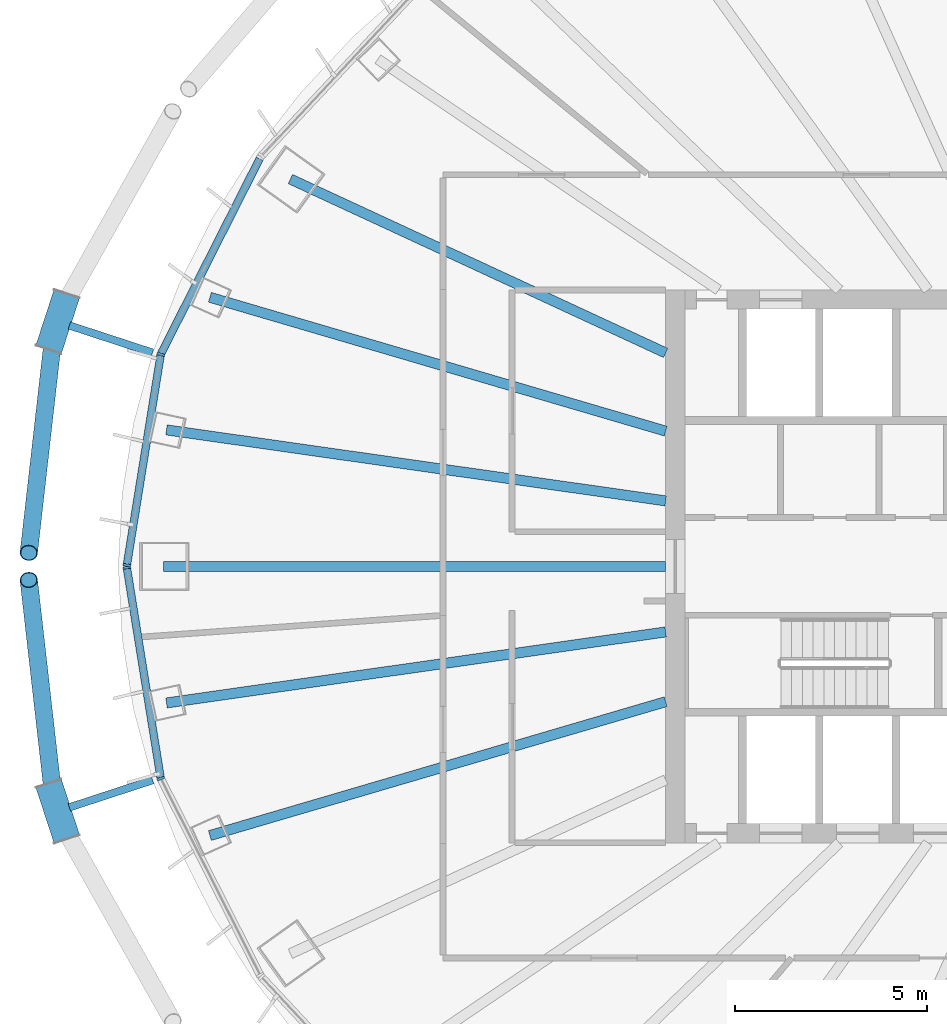
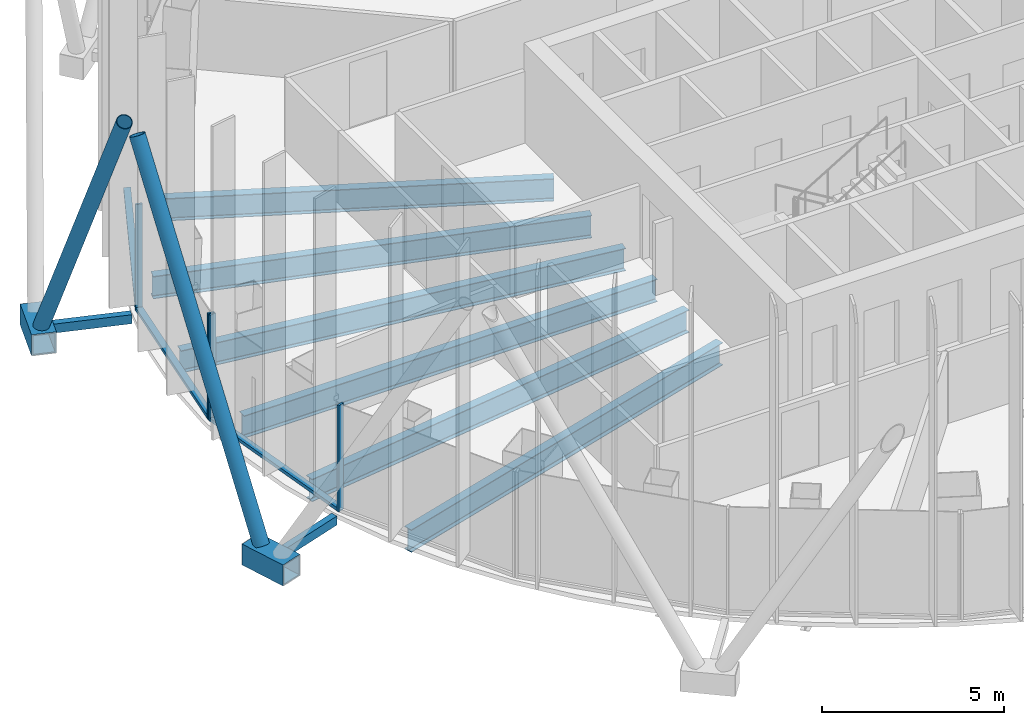
# One storey, part 3 of 19: 13 members, 6 beams, 2 elements without a shape of their own.
"""IFC4 building model written with IfcOpenShell, lengths in metres."""

from ifc_helpers import new_model, si_unit, direction, frame, origin, origin_2d, place, context, subcontext, project, spatial, rectangle, hollow_rectangle, hollow_circle, i_section, extrude, material, layer, layer_set, material_profile, profile_set, type_object, element, aggregate, save


model = new_model("IFC4")

# Units and contexts
model_context = context("Model", 3, precision=1e-05, world=origin(), true_north=direction((0.0, 1.0)))
body_context = subcontext(model_context, "Body", "Model", "MODEL_VIEW")
ifc_project = project(units=[si_unit("LENGTHUNIT", "METRE"), si_unit("AREAUNIT", "SQUARE_METRE"), si_unit("VOLUMEUNIT", "CUBIC_METRE"), si_unit("PLANEANGLEUNIT", "RADIAN"), si_unit("MASSUNIT", "GRAM", prefix="KILO")], contexts=[model_context])

# Site, building, storey
site_placement = place(None, origin())
site = spatial("IfcSite", under=ifc_project, at=site_placement, CompositionType="ELEMENT")
building_placement = place(site_placement, origin())
building = spatial("IfcBuilding", under=site, at=building_placement, Name="Siaravel Broadcast Tower", CompositionType="ELEMENT")
storey_placement = place(building_placement, frame((0.0, 0.0, 97.10009765625)))
storey = spatial("IfcBuildingStorey", under=building, at=storey_placement, Name="L22", CompositionType="ELEMENT", Elevation=97.10009765625)

# Beams
ifc_material_1 = material(Name="Steel S355", Category="steel")
ifc_material_profile_1 = material_profile(ifc_material_1, i_section(OverallWidth=0.26513671875, OverallDepth=0.75390625, WebThickness=0.0126953125, FlangeThickness=0.017578125, FilletRadius=0.0166015625, at=origin_2d()))
ifc_profile_set_1 = profile_set([ifc_material_profile_1], Name="Steel S355")
beam_type = type_object("IfcBeamType", Name="BM-UB 762x267x147", PredefinedType="BEAM", material=ifc_profile_set_1)
beam_1_placement = place(storey_placement, frame((-21.77490234375, 10.089111328125, -0.527099609375), z_axis=(0.907338227, -0.420401405, 0.0), x_axis=(0.420401405, 0.907338227, 0.0)))
element("IfcBeam", 1, at=beam_1_placement, inside=storey, type_object=beam_type, Name="Radial beam RB16", PredefinedType="BEAM", context=body_context, shape_type="SweptSolid", body=[
    extrude(i_section(OverallWidth=0.26513671875, OverallDepth=0.75390625, WebThickness=0.0126953125, FlangeThickness=0.017578125, FilletRadius=0.0166015625, at=origin_2d()), origin(), (0.0, 0.0, 1.0), 10.773193359375),
])
beam_2_placement = place(storey_placement, frame((-23.87158203125, 7.010009765625, -0.527099609375), z_axis=(0.959487009, -0.281752869, 0.0), x_axis=(0.281752869, 0.959487009, 0.0)))
element("IfcBeam", 2, at=beam_2_placement, inside=storey, type_object=beam_type, Name="Radial beam RB17", PredefinedType="BEAM", context=body_context, shape_type="SweptSolid", body=[
    extrude(i_section(OverallWidth=0.26513671875, OverallDepth=0.75390625, WebThickness=0.0126953125, FlangeThickness=0.017578125, FilletRadius=0.0166015625, at=origin_2d()), origin(), (0.0, 0.0, 1.0), 12.372802734375),
])
beam_3_placement = place(storey_placement, frame((-25.001708984375, 3.5556640625, -0.527099609375), z_axis=(0.99003742, -0.140804496, 0.0), x_axis=(0.140804496, 0.99003742, 0.0)))
element("IfcBeam", 3, at=beam_3_placement, inside=storey, type_object=beam_type, Name="Radial beam RB18", PredefinedType="BEAM", context=body_context, shape_type="SweptSolid", body=[
    extrude(i_section(OverallWidth=0.26513671875, OverallDepth=0.75390625, WebThickness=0.0126953125, FlangeThickness=0.017578125, FilletRadius=0.0166015625, at=origin_2d()), origin(), (0.0, 0.0, 1.0), 13.132568359375),
])
beam_4_placement = place(storey_placement, frame((-25.08154296875, 0.0, -0.527099609375), z_axis=(1.0, 0.0, 0.0), x_axis=(0.0, 1.0, 0.0)))
element("IfcBeam", 4, at=beam_4_placement, inside=storey, type_object=beam_type, Name="Radial beam RB19", PredefinedType="BEAM", context=body_context, shape_type="SweptSolid", body=[
    extrude(i_section(OverallWidth=0.26513671875, OverallDepth=0.75390625, WebThickness=0.0126953125, FlangeThickness=0.017578125, FilletRadius=0.0166015625, at=origin_2d()), origin(), (0.0, 0.0, 1.0), 13.08154296875),
])
beam_5_placement = place(storey_placement, frame((-25.001708984375, -3.5556640625, -0.527099609375), z_axis=(0.99003742, 0.140804496, 0.0), x_axis=(-0.140804496, 0.99003742, 0.0)))
element("IfcBeam", 5, at=beam_5_placement, inside=storey, type_object=beam_type, Name="Radial beam RB20", PredefinedType="BEAM", context=body_context, shape_type="SweptSolid", body=[
    extrude(i_section(OverallWidth=0.26513671875, OverallDepth=0.75390625, WebThickness=0.0126953125, FlangeThickness=0.017578125, FilletRadius=0.0166015625, at=origin_2d()), origin(), (0.0, 0.0, 1.0), 13.132568359375),
])
beam_6_placement = place(storey_placement, frame((-23.87158203125, -7.010009765625, -0.527099609375), z_axis=(0.959487009, 0.281752869, 0.0), x_axis=(-0.281752869, 0.959487009, 0.0)))
element("IfcBeam", 6, at=beam_6_placement, inside=storey, type_object=beam_type, Name="Radial beam RB21", PredefinedType="BEAM", context=body_context, shape_type="SweptSolid", body=[
    extrude(i_section(OverallWidth=0.26513671875, OverallDepth=0.75390625, WebThickness=0.0126953125, FlangeThickness=0.017578125, FilletRadius=0.0166015625, at=origin_2d()), origin(), (0.0, 0.0, 1.0), 12.372802734375),
])

# Curtain wall, members
ifc_material_2 = material(Name="Aluminium 6063-T6", Category="aluminium")
ifc_layer = layer(ifc_material_2, 0.199951171875)
ifc_layer_set = layer_set([ifc_layer], Name="Aluminium 6063-T6")
curtain_wall_type = type_object("IfcCurtainWallType", Name="Unitised curtain wall, zone 2", PredefinedType="NOTDEFINED", material=ifc_layer_set)
curtain_wall_1_placement = place(storey_placement, origin())
curtain_wall_1 = element("IfcCurtainWall", 7, at=curtain_wall_1_placement, inside=storey, type_object=curtain_wall_type, Name="L22 Unitised curtain wall, zone 2 06", PredefinedType="NOTDEFINED")
ifc_material_profile_2 = material_profile(ifc_material_2, rectangle(XDim=0.199951171875, YDim=0.06494140625, at=origin_2d()))
ifc_profile_set_2 = profile_set([ifc_material_profile_2], Name="Aluminium 6063-T6")
member_type_1 = type_object("IfcMemberType", Name="CW-Z2 mullion", PredefinedType="MULLION", material=ifc_profile_set_2)
member_1_placement = place(storey_placement, frame((-25.151611328125, 5.525390625, 0.0), z_axis=(0.0, 0.0, 1.0), x_axis=(0.951177085, -0.308645676, 0.0)))
member_1 = element("IfcMember", 8, at=member_1_placement, type_object=member_type_1, Name="CW-Z2 mullion 2", PredefinedType="MULLION", context=body_context, shape_type="SweptSolid", body=[
    extrude(rectangle(XDim=0.199951171875, YDim=0.06494140625, at=origin_2d()), origin(), (0.0, 0.0, 1.0), 3.5498046875),
])
member_2_placement = place(storey_placement, frame((-26.0341796875, 0.031982421875, 0.0), z_axis=(0.0, 0.0, 1.0), x_axis=(0.987329139, -0.15868576, 0.0)))
member_2 = element("IfcMember", 9, at=member_2_placement, type_object=member_type_1, Name="CW-Z2 mullion 3", PredefinedType="MULLION", context=body_context, shape_type="SweptSolid", body=[
    extrude(rectangle(XDim=0.199951171875, YDim=0.06494140625, at=origin_2d()), origin(), (0.0, 0.0, 1.0), 3.5498046875),
])

curtain_wall_2_placement = place(storey_placement, origin())
curtain_wall_2 = element("IfcCurtainWall", 10, at=curtain_wall_2_placement, inside=storey, type_object=curtain_wall_type, Name="L22 Unitised curtain wall, zone 2 07", PredefinedType="NOTDEFINED")
member_3_placement = place(storey_placement, frame((-26.0341796875, -0.031982421875, 0.0), z_axis=(0.0, 0.0, 1.0), x_axis=(0.987329139, 0.15868576, 0.0)))
member_3 = element("IfcMember", 11, at=member_3_placement, type_object=member_type_1, Name="CW-Z2 mullion 1", PredefinedType="MULLION", context=body_context, shape_type="SweptSolid", body=[
    extrude(rectangle(XDim=0.199951171875, YDim=0.06494140625, at=origin_2d()), origin(), (0.0, 0.0, 1.0), 3.5498046875),
])
member_4_placement = place(storey_placement, frame((-25.151611328125, -5.525390625, 0.0), z_axis=(0.0, 0.0, 1.0), x_axis=(0.951177085, 0.308645676, 0.0)))
member_4 = element("IfcMember", 12, at=member_4_placement, type_object=member_type_1, Name="CW-Z2 mullion 2", PredefinedType="MULLION", context=body_context, shape_type="SweptSolid", body=[
    extrude(rectangle(XDim=0.199951171875, YDim=0.06494140625, at=origin_2d()), origin(), (0.0, 0.0, 1.0), 3.5498046875),
])

# Member
ifc_material_profile_3 = material_profile(ifc_material_2, rectangle(XDim=0.199951171875, YDim=0.110107421875, at=origin_2d()))
ifc_profile_set_3 = profile_set([ifc_material_profile_3], Name="Aluminium 6063-T6")
member_type_2 = type_object("IfcMemberType", Name="CW-Z2 transom", PredefinedType="USERDEFINED", material=ifc_profile_set_3)
member_5_placement = place(storey_placement, frame((-22.577880859375, 10.614990234375, 0.054931640625), z_axis=(-0.45123882, -0.892403231, 0.0), x_axis=(0.892403231, -0.45123882, 0.0)))
member_5 = element("IfcMember", 13, at=member_5_placement, type_object=member_type_2, Name="CW-Z2 transom 1", ObjectType="TRANSOM", PredefinedType="USERDEFINED", context=body_context, shape_type="SweptSolid", body=[
    extrude(rectangle(XDim=0.199951171875, YDim=0.110107421875, at=origin_2d()), origin(), (0.0, 0.0, 1.0), 5.670654296875),
])

member_6_placement = place(storey_placement, frame((-25.156494140625, 5.493408203125, 0.054931640625), z_axis=(-0.158722921, -0.987323166, 0.0), x_axis=(0.987323166, -0.158722921, 0.0)))
member_6 = element("IfcMember", 14, at=member_6_placement, type_object=member_type_2, Name="CW-Z2 transom 2", ObjectType="TRANSOM", PredefinedType="USERDEFINED", context=body_context, shape_type="SweptSolid", body=[
    extrude(rectangle(XDim=0.199951171875, YDim=0.110107421875, at=origin_2d()), origin(), (0.0, 0.0, 1.0), 5.4990234375),
])

aggregate(curtain_wall_1, [member_1, member_2, member_5, member_6])

member_7_placement = place(storey_placement, frame((-26.029296875, -0.064208984375, 0.054931640625), z_axis=(0.158722921, -0.987323166, 0.0), x_axis=(0.987323166, 0.158722921, 0.0)))
member_7 = element("IfcMember", 15, at=member_7_placement, type_object=member_type_2, Name="CW-Z2 transom 1", ObjectType="TRANSOM", PredefinedType="USERDEFINED", context=body_context, shape_type="SweptSolid", body=[
    extrude(rectangle(XDim=0.199951171875, YDim=0.110107421875, at=origin_2d()), origin(), (0.0, 0.0, 1.0), 5.4990234375),
])

aggregate(curtain_wall_2, [member_3, member_4, member_7])

# Members
ifc_material_3 = material(Name="Steel S460", Category="steel")
ifc_material_profile_4 = material_profile(ifc_material_3, hollow_circle(Radius=0.228515625, WallThickness=0.02001953125, at=origin_2d()))
ifc_profile_set_4 = profile_set([ifc_material_profile_4], Name="Steel S460")
member_type_3 = type_object("IfcMemberType", Name="Diagrid diagonal CHS 457x20", PredefinedType="BRACE", material=ifc_profile_set_4)
for number, where, z_axis, x_axis, name in (
    (16, (-27.945068359375, 6.04150390625, 0.119873046875), (-0.053850618, -0.475415289, 0.878111846), (0.993645953, -0.112550964, 0.0), "Diagrid diagonal R10 station 33A"),
    (17, (-27.945068359375, -6.04150390625, 0.119873046875), (-0.053850618, 0.475415289, 0.878111846), (-0.993645953, -0.112550964, 0.0), "Diagrid diagonal R10 station 39C"),
):
    element("IfcMember", number, at=place(storey_placement, frame(where, z_axis=z_axis, x_axis=x_axis)), inside=storey, type_object=member_type_3, Name=name, PredefinedType="BRACE", context=body_context, shape_type="SweptSolid", body=[
        extrude(hollow_circle(Radius=0.228515625, WallThickness=0.02001953125, at=origin_2d()), origin(), (0.0, 0.0, 1.0), 11.968994140625),
    ])
ifc_material_profile_5 = material_profile(ifc_material_3, hollow_rectangle(XDim=0.699951171875, YDim=0.699951171875, WallThickness=0.0400390625, at=origin_2d()))
ifc_profile_set_5 = profile_set([ifc_material_profile_5], Name="Steel S460")
member_type_4 = type_object("IfcMemberType", Name="Diagrid node BOX 700x700x40", PredefinedType="USERDEFINED", material=ifc_profile_set_5)
for number, where, z_axis, x_axis, name in (
    (18, (-27.6015625, 7.091552734375, -0.2001953125), (-0.310876766, -0.950450228, 0.0), (0.950450228, -0.310876766, 0.0), "Diagrid node R10 station 33"),
    (19, (-28.070068359375, -5.6591796875, -0.2001953125), (0.310876766, -0.950450228, 0.0), (0.950450228, 0.310876766, 0.0), "Diagrid node R10 station 39"),
):
    element("IfcMember", number, at=place(storey_placement, frame(where, z_axis=z_axis, x_axis=x_axis)), inside=storey, type_object=member_type_4, Name=name, ObjectType="DIAGRID NODE", PredefinedType="USERDEFINED", context=body_context, shape_type="SweptSolid", body=[
        extrude(hollow_rectangle(XDim=0.699951171875, YDim=0.699951171875, WallThickness=0.0400390625, at=origin_2d()), origin(), (0.0, 0.0, 1.0), 1.507080078125),
    ])
ifc_material_profile_6 = material_profile(ifc_material_3, hollow_rectangle(XDim=0.199951171875, YDim=0.300048828125, WallThickness=0.012451171875, at=origin_2d()))
ifc_profile_set_6 = profile_set([ifc_material_profile_6], Name="Steel S460")
member_type_5 = type_object("IfcMemberType", Name="Diagrid node arm RHS 300x200x12.5", PredefinedType="STRUT", material=ifc_profile_set_6)
for number, where, z_axis, x_axis, name in (
    (20, (-25.364501953125, 5.56689453125, -0.2001953125), (-0.950435102, 0.310923007, 0.0), (-0.310923007, -0.950435102, 0.0), "Node arm R10 station 33"),
    (21, (-25.364501953125, -5.56689453125, -0.2001953125), (-0.950435102, -0.310923007, 0.0), (0.310923007, -0.950435102, 0.0), "Node arm R10 station 39"),
):
    element("IfcMember", number, at=place(storey_placement, frame(where, z_axis=z_axis, x_axis=x_axis)), inside=storey, type_object=member_type_5, Name=name, PredefinedType="STRUT", context=body_context, shape_type="SweptSolid", body=[
        extrude(hollow_rectangle(XDim=0.199951171875, YDim=0.300048828125, WallThickness=0.012451171875, at=origin_2d()), origin(), (0.0, 0.0, 1.0), 2.2802734375),
    ])

save(model, "model.ifc")
